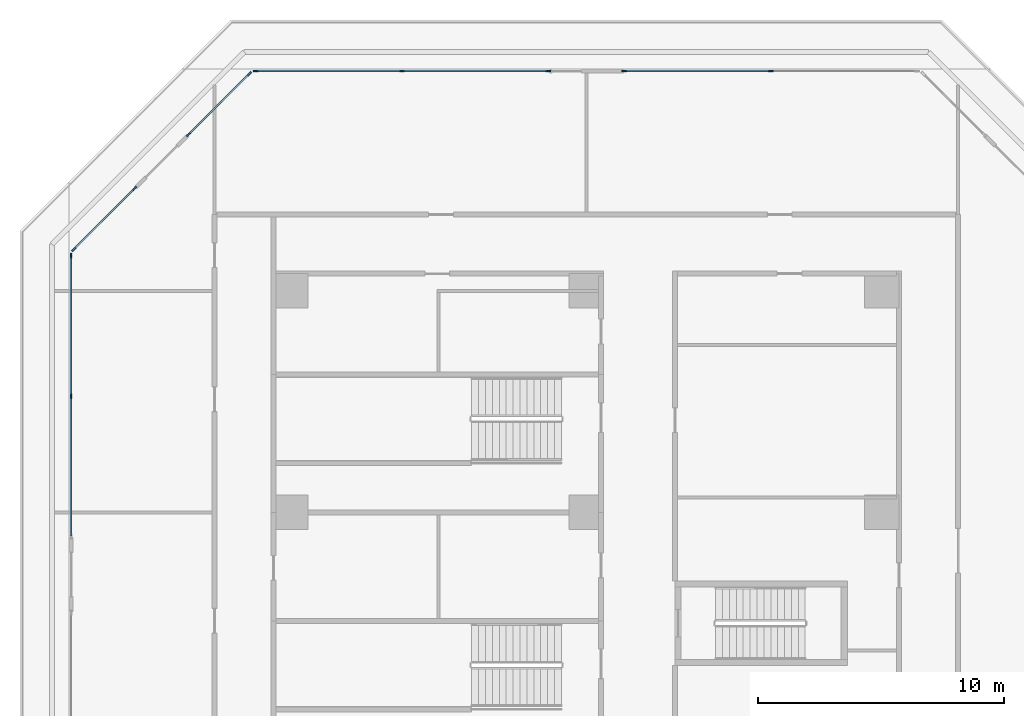
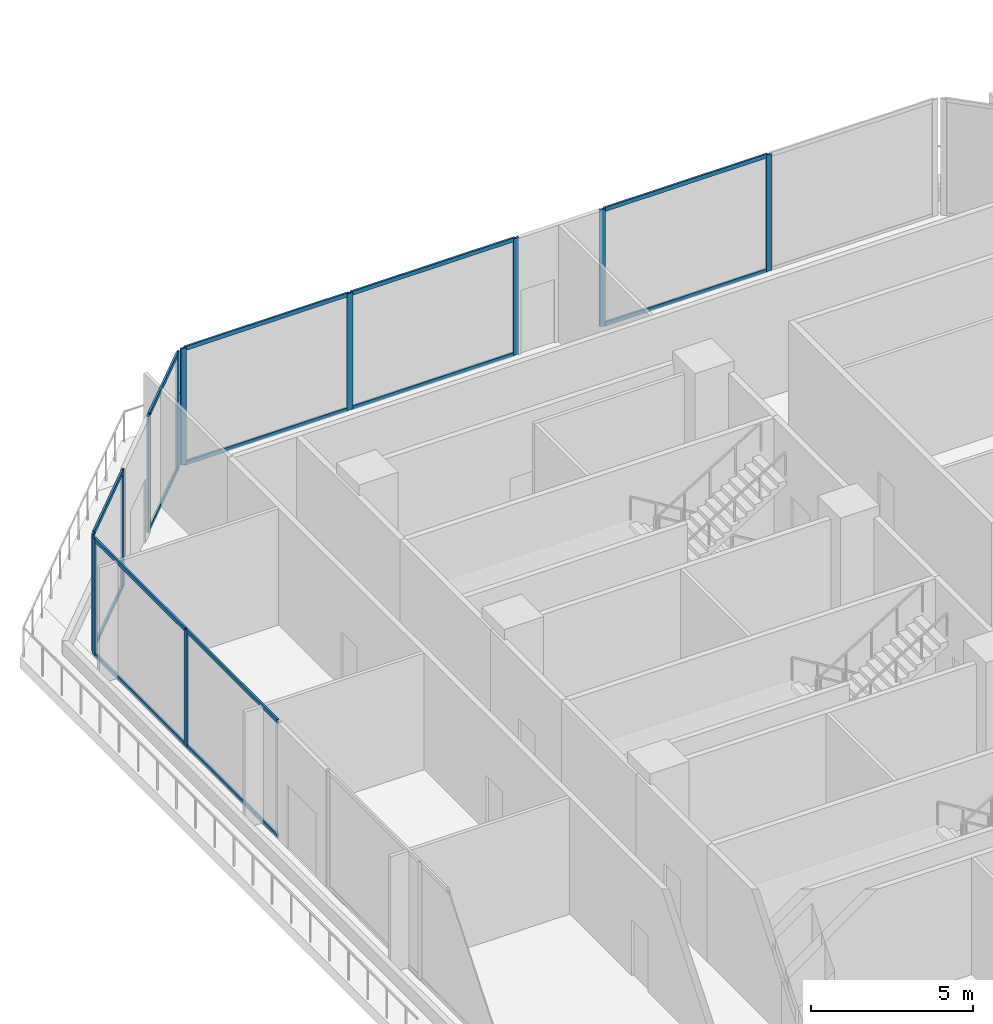
# One storey, part 8 of 26: 25 members, 5 elements without a shape of their own.
"""IFC4 building model written with IfcOpenShell, lengths in metres."""

import ifcopenshell
import ifcopenshell.guid

model = None  # the IFC model being written
_history = None  # IfcOwnerHistory: only IFC2X3 demands one
_inside = {}  # id of a spatial element -> (the spatial element, [elements in it])
_under = {}  # id of a project, library or spatial element -> (it, [spatial elements below it])
_declared = {}  # id of a project -> (the project, [libraries it declares])
_typed = {}  # id of a type object -> (the type object, [elements of that type])
_made_of = {}  # id of a material, layer set ... -> (it, [elements and type objects made of it])


def new_model(schema):
    """Start an empty IFC model of exactly this schema.

    Asked for "IFC4X3", IfcOpenShell would pick the latest addendum, in which some entities
    have other attributes; the version numbers below select the first issue.
    IFC2X3 requires an IfcOwnerHistory on every rooted entity: one is made here for all.
    """
    global model, _history
    if schema == "IFC4X3":
        model = ifcopenshell.file(schema_version=(4, 3, 0, 0))
    else:
        model = ifcopenshell.file(schema=schema)
    _inside.clear()
    _under.clear()
    _declared.clear()
    _typed.clear()
    _made_of.clear()
    _history = None
    if model.schema == "IFC2X3":
        org = make("IfcOrganization", Name="unknown")
        user = make(
            "IfcPersonAndOrganization",
            ThePerson=make("IfcPerson", FamilyName="unknown"),
            TheOrganization=org,
        )
        app = make(
            "IfcApplication",
            ApplicationDeveloper=org,
            Version="unknown",
            ApplicationFullName="unknown",
            ApplicationIdentifier="unknown",
        )
        _history = make(
            "IfcOwnerHistory",
            OwningUser=user,
            OwningApplication=app,
            ChangeAction="ADDED",
            CreationDate=0,
        )
    return model


def make(cls, **values):
    """One entity of the class cls with the attributes given. An attribute that is None is left unset."""
    return model.create_entity(
        cls, **{name: value for name, value in values.items() if value is not None}
    )


def rooted(cls, **values):
    """An entity with a GlobalId (a new one), such as an element, a storey or a relation."""
    return make(cls, GlobalId=ifcopenshell.guid.new(), OwnerHistory=_history, **values)


def si_unit(unit_type, name, prefix=None):
    """IfcSIUnit, for example si_unit("LENGTHUNIT", "METRE", prefix="MILLI")."""
    return make("IfcSIUnit", UnitType=unit_type, Prefix=prefix, Name=name)


def assignment(units):
    """IfcUnitAssignment: the units of a project."""
    return None if units is None else make("IfcUnitAssignment", Units=units)


def point(xyz):
    """IfcCartesianPoint."""
    return None if xyz is None else make("IfcCartesianPoint", Coordinates=xyz)


def direction(xyz):
    """IfcDirection."""
    return None if xyz is None else make("IfcDirection", DirectionRatios=xyz)


def frame(location, z_axis=None, x_axis=None):
    """IfcAxis2Placement3D, a coordinate frame: its origin and axes. An axis left out is left unset."""
    return make(
        "IfcAxis2Placement3D",
        Location=point(location),
        Axis=direction(z_axis),
        RefDirection=direction(x_axis),
    )


def frame_2d(location, x_axis=None):
    """IfcAxis2Placement2D, a coordinate frame in the plane: its origin and x axis."""
    return make(
        "IfcAxis2Placement2D", Location=point(location), RefDirection=direction(x_axis)
    )


def origin():
    """The frame at (0, 0, 0) with its axes left unset."""
    return frame((0.0, 0.0, 0.0))


def origin_2d():
    """The frame at (0, 0) in the plane with its x axis left unset."""
    return frame_2d((0.0, 0.0))


def place(relative_to, where):
    """IfcLocalPlacement: puts the frame where relative to a parent placement (None: the world)."""
    return make(
        "IfcLocalPlacement", PlacementRelTo=relative_to, RelativePlacement=where
    )


def context(
    kind, dimensions, precision=None, world=None, true_north=None, identifier=None
):
    """IfcGeometricRepresentationContext, for example the 3D "Model" context."""
    return make(
        "IfcGeometricRepresentationContext",
        ContextIdentifier=identifier,
        ContextType=kind,
        CoordinateSpaceDimension=dimensions,
        Precision=precision,
        WorldCoordinateSystem=world,
        TrueNorth=true_north,
    )


def subcontext(parent, identifier, kind, view, scale=None):
    """IfcGeometricRepresentationSubContext, for example "Body" below "Model"."""
    return make(
        "IfcGeometricRepresentationSubContext",
        ContextIdentifier=identifier,
        ContextType=kind,
        ParentContext=parent,
        TargetScale=scale,
        TargetView=view,
    )


def project(units=None, contexts=None):
    """IfcProject with its units and contexts."""
    return rooted(
        "IfcProject",
        Name="project",
        RepresentationContexts=contexts,
        UnitsInContext=assignment(units),
    )


def spatial(cls, under=None, at=None, **own):
    """A site, building, storey or space (cls), placed at a placement, below another one or the project."""
    s = rooted(cls, ObjectPlacement=at, **own)
    if under is not None:
        _under.setdefault(under.id(), (under, []))[1].append(s)
    return s


def profile(cls, at=None, kind="AREA", **sizes):
    """A parametric profile (cls). Its sizes go by their IFC names, for example OverallWidth=200.0."""
    return make(cls, ProfileType=kind, Position=at, **sizes)


def rectangle(**sizes):
    """IfcRectangleProfileDef."""
    return profile("IfcRectangleProfileDef", **sizes)


def extrude(swept, where, along, depth):
    """IfcExtrudedAreaSolid: the profile swept, set in the frame where, extruded along a direction by depth."""
    return make(
        "IfcExtrudedAreaSolid",
        SweptArea=swept,
        Position=where,
        ExtrudedDirection=direction(along),
        Depth=depth,
    )


def shape(context_of_items, identifier, shape_type, items):
    """IfcShapeRepresentation: the items that make up one representation, for example the "Body"."""
    return make(
        "IfcShapeRepresentation",
        ContextOfItems=context_of_items,
        RepresentationIdentifier=identifier,
        RepresentationType=shape_type,
        Items=items,
    )


def material(Name=None, Category=None):
    """IfcMaterial."""
    return make("IfcMaterial", Name=Name, Category=Category)


def layer(
    of_material, thickness, ventilated=None, Name=None, Category=None, Priority=None
):
    """IfcMaterialLayer: one layer of a wall or slab, of a material (None: an air gap)."""
    return make(
        "IfcMaterialLayer",
        Material=of_material,
        LayerThickness=thickness,
        IsVentilated=ventilated,
        Name=Name,
        Category=Category,
        Priority=Priority,
    )


def layer_set(layers, Name=None):
    """IfcMaterialLayerSet."""
    return make("IfcMaterialLayerSet", MaterialLayers=layers, LayerSetName=Name)


def material_profile(
    of_material, cross_section, Name=None, Category=None, Priority=None
):
    """IfcMaterialProfile: a cross section and its material."""
    return make(
        "IfcMaterialProfile",
        Name=Name,
        Material=of_material,
        Profile=cross_section,
        Priority=Priority,
        Category=Category,
    )


def profile_set(profiles, Name=None, composite=None):
    """IfcMaterialProfileSet."""
    return make(
        "IfcMaterialProfileSet",
        Name=Name,
        MaterialProfiles=profiles,
        CompositeProfile=composite,
    )


def made_of(thing, what):
    """Note that an element or type object is made of a material, layer set ...; save() writes the relation."""
    if what is not None:
        _made_of.setdefault(what.id(), (what, []))[1].append(thing)
    return thing


def type_object(cls, material=None, **own):
    """A type object (cls), such as IfcWallType, which elements share."""
    return made_of(rooted(cls, **own), material)


def element(
    cls,
    number,
    at=None,
    inside=None,
    cuts=None,
    type_object=None,
    material=None,
    context=None,
    identifier="Body",
    shape_type=None,
    held_by="IfcProductDefinitionShape",
    body=None,
    shapes=None,
    **own,
):
    """One element of the class cls, such as IfcWall. Its Tag is "e" and its number.

    at: its placement. inside: the storey or other place that contains it. cuts: it is an
    opening in that element (IfcRelVoidsElement). A single representation is given by context,
    identifier, shape_type and body (its items); several are given by shapes. held_by: the class
    of the entity that holds the representations. save() writes the other relations.
    """
    e = rooted(cls, Tag="e%d" % number, ObjectPlacement=at, **own)
    if body is not None:
        shapes = [shape(context, identifier, shape_type, body)]
    if shapes is not None:
        e.Representation = make(held_by, Representations=shapes)
    if inside is not None:
        _inside.setdefault(inside.id(), (inside, []))[1].append(e)
    if cuts is not None:
        rooted(
            "IfcRelVoidsElement", RelatingBuildingElement=cuts, RelatedOpeningElement=e
        )
    if type_object is not None:
        _typed.setdefault(type_object.id(), (type_object, []))[1].append(e)
    return made_of(e, material)


def aggregate(whole, parts):
    """IfcRelAggregates: a whole, such as a stair, and the parts it consists of."""
    return rooted("IfcRelAggregates", RelatingObject=whole, RelatedObjects=parts)


def save(model, path):
    """Write the relations noted so far, then the file.

    IfcRelAggregates (storeys below a building ...), IfcRelContainedInSpatialStructure (elements
    in a storey), IfcRelDefinesByType, IfcRelAssociatesMaterial and IfcRelDeclares: one each for
    every whole, place, type object, material and project.
    """
    for whole, parts in _under.values():
        aggregate(whole, parts)
    for where, things in _inside.values():
        rooted(
            "IfcRelContainedInSpatialStructure",
            RelatedElements=things,
            RelatingStructure=where,
        )
    for kind, things in _typed.values():
        rooted("IfcRelDefinesByType", RelatedObjects=things, RelatingType=kind)
    for what, things in _made_of.values():
        rooted("IfcRelAssociatesMaterial", RelatedObjects=things, RelatingMaterial=what)
    for by, libraries in _declared.values():
        rooted("IfcRelDeclares", RelatingContext=by, RelatedDefinitions=libraries)
    model.write(path)


model = new_model("IFC4")

# Units and contexts
model_context = context("Model", 3, precision=1e-05, world=origin(), true_north=direction((0.0, 1.0)))
body_context = subcontext(model_context, "Body", "Model", "MODEL_VIEW")
ifc_project = project(units=[si_unit("LENGTHUNIT", "METRE"), si_unit("AREAUNIT", "SQUARE_METRE"), si_unit("VOLUMEUNIT", "CUBIC_METRE"), si_unit("PLANEANGLEUNIT", "RADIAN"), si_unit("MASSUNIT", "GRAM", prefix="KILO")], contexts=[model_context])

# Site, building, storey
site_placement = place(None, origin())
site = spatial("IfcSite", under=ifc_project, at=site_placement, CompositionType="ELEMENT")
building_placement = place(site_placement, origin())
building = spatial("IfcBuilding", under=site, at=building_placement, Name="Chenar Terraces", CompositionType="ELEMENT")
storey_placement = place(building_placement, frame((0.0, 0.0, 16.800048828125)))
storey = spatial("IfcBuildingStorey", under=building, at=storey_placement, Name="L03", CompositionType="ELEMENT", Elevation=16.800048828125)

# Curtain wall, members
ifc_material_1 = material(Name="Aluminium framed glazing", Category="aluminium")
ifc_layer = layer(ifc_material_1, 0.14990234375)
ifc_layer_set = layer_set([ifc_layer], Name="Aluminium framed glazing")
curtain_wall_type = type_object("IfcCurtainWallType", Name="School curtain wall", PredefinedType="NOTDEFINED", material=ifc_layer_set)
placement = place(storey_placement, origin())
curtain_wall_1 = element("IfcCurtainWall", 1, at=placement, inside=storey, type_object=curtain_wall_type, Name="School curtain wall", PredefinedType="NOTDEFINED")
ifc_material_2 = material(Name="Aluminium", Category="aluminium")
ifc_material_profile_1 = material_profile(ifc_material_2, rectangle(XDim=0.070068359375, YDim=0.199951171875, at=origin_2d()), Name="School glazing mullion 70 x 200")
ifc_profile_set_1 = profile_set([ifc_material_profile_1], Name="Aluminium")
member_type_1 = type_object("IfcMemberType", Name="School glazing mullion 70 x 200", PredefinedType="MULLION", material=ifc_profile_set_1)
member_1_placement = place(storey_placement, frame((19.484619140625, 71.925048828125, 0.0), z_axis=(0.0, 0.0, 1.0), x_axis=(0.0, -1.0, 0.0)))
member_1 = element("IfcMember", 2, at=member_1_placement, type_object=member_type_1, Name="CW2-03c0 mullion 2", PredefinedType="MULLION", context=body_context, shape_type="SweptSolid", body=[
    extrude(rectangle(XDim=0.070068359375, YDim=0.199951171875, at=origin_2d()), origin(), (0.0, 0.0, 1.0), 4.39990234375),
])
member_2_placement = place(storey_placement, frame((13.547607421875, 71.925048828125, 0.0), z_axis=(0.0, 0.0, 1.0), x_axis=(0.0, -1.0, 0.0)))
member_2 = element("IfcMember", 3, at=member_2_placement, type_object=member_type_1, Name="CW2-03c0 mullion 3", PredefinedType="MULLION", context=body_context, shape_type="SweptSolid", body=[
    extrude(rectangle(XDim=0.070068359375, YDim=0.199951171875, at=origin_2d()), origin(), (0.0, 0.0, 1.0), 4.39990234375),
])

curtain_wall_2 = element("IfcCurtainWall", 4, at=placement, inside=storey, type_object=curtain_wall_type, Name="School curtain wall", PredefinedType="NOTDEFINED")
member_3_placement = place(storey_placement, frame((10.452392578125, 71.925048828125, 0.0), z_axis=(0.0, 0.0, 1.0), x_axis=(0.0, -1.0, 0.0)))
member_3 = element("IfcMember", 5, at=member_3_placement, type_object=member_type_1, Name="CW2-03c1 mullion 1", PredefinedType="MULLION", context=body_context, shape_type="SweptSolid", body=[
    extrude(rectangle(XDim=0.070068359375, YDim=0.199951171875, at=origin_2d()), origin(), (0.0, 0.0, 1.0), 4.39990234375),
])
member_4_placement = place(storey_placement, frame((4.515380859375, 71.925048828125, 0.0), z_axis=(0.0, 0.0, 1.0), x_axis=(0.0, -1.0, 0.0)))
member_4 = element("IfcMember", 6, at=member_4_placement, type_object=member_type_1, Name="CW2-03c1 mullion 2", PredefinedType="MULLION", context=body_context, shape_type="SweptSolid", body=[
    extrude(rectangle(XDim=0.070068359375, YDim=0.199951171875, at=origin_2d()), origin(), (0.0, 0.0, 1.0), 4.39990234375),
])
member_5_placement = place(storey_placement, frame((-1.421630859375, 71.925048828125, 0.0), z_axis=(0.0, 0.0, 1.0), x_axis=(0.0, -1.0, 0.0)))
member_5 = element("IfcMember", 7, at=member_5_placement, type_object=member_type_1, Name="CW2-03c1 mullion 3", PredefinedType="MULLION", context=body_context, shape_type="SweptSolid", body=[
    extrude(rectangle(XDim=0.070068359375, YDim=0.199951171875, at=origin_2d()), origin(), (0.0, 0.0, 1.0), 4.39990234375),
])

curtain_wall_3 = element("IfcCurtainWall", 8, at=placement, inside=storey, type_object=curtain_wall_type, Name="School curtain wall", PredefinedType="NOTDEFINED")
member_6_placement = place(storey_placement, frame((-1.684326171875, 71.816162109375, 0.0), z_axis=(0.0, 0.0, 1.0), x_axis=(0.707106781187, -0.707106781187, 0.0)))
member_6 = element("IfcMember", 9, at=member_6_placement, type_object=member_type_1, Name="CW2-04c0 mullion 1", PredefinedType="MULLION", context=body_context, shape_type="SweptSolid", body=[
    extrude(rectangle(XDim=0.070068359375, YDim=0.199951171875, at=origin_2d()), origin(), (0.0, 0.0, 1.0), 4.39990234375),
])
member_7_placement = place(storey_placement, frame((-4.156005859375, 69.344482421875, 0.0), z_axis=(0.0, 0.0, 1.0), x_axis=(0.707106781187, -0.707106781187, 0.0)))
member_7 = element("IfcMember", 10, at=member_7_placement, type_object=member_type_1, Name="CW2-04c0 mullion 2", PredefinedType="MULLION", context=body_context, shape_type="SweptSolid", body=[
    extrude(rectangle(XDim=0.070068359375, YDim=0.199951171875, at=origin_2d()), origin(), (0.0, 0.0, 1.0), 4.39990234375),
])

curtain_wall_4 = element("IfcCurtainWall", 11, at=placement, inside=storey, type_object=curtain_wall_type, Name="School curtain wall", PredefinedType="NOTDEFINED")
member_8_placement = place(storey_placement, frame((-6.344482421875, 67.156005859375, 0.0), z_axis=(0.0, 0.0, 1.0), x_axis=(0.707106781187, -0.707106781187, 0.0)))
member_8 = element("IfcMember", 12, at=member_8_placement, type_object=member_type_1, Name="CW2-04c1 mullion 1", PredefinedType="MULLION", context=body_context, shape_type="SweptSolid", body=[
    extrude(rectangle(XDim=0.070068359375, YDim=0.199951171875, at=origin_2d()), origin(), (0.0, 0.0, 1.0), 4.39990234375),
])
member_9_placement = place(storey_placement, frame((-8.816162109375, 64.684326171875, 0.0), z_axis=(0.0, 0.0, 1.0), x_axis=(0.707106781187, -0.707106781187, 0.0)))
member_9 = element("IfcMember", 13, at=member_9_placement, type_object=member_type_1, Name="CW2-04c1 mullion 2", PredefinedType="MULLION", context=body_context, shape_type="SweptSolid", body=[
    extrude(rectangle(XDim=0.070068359375, YDim=0.199951171875, at=origin_2d()), origin(), (0.0, 0.0, 1.0), 4.39990234375),
])

curtain_wall_5 = element("IfcCurtainWall", 14, at=placement, inside=storey, type_object=curtain_wall_type, Name="School curtain wall", PredefinedType="NOTDEFINED")
member_10_placement = place(storey_placement, frame((-8.925048828125, 64.421630859375, 0.0), z_axis=(0.0, 0.0, 1.0), x_axis=(1.0, 0.0, 0.0)))
member_10 = element("IfcMember", 15, at=member_10_placement, type_object=member_type_1, Name="CW2-05c0 mullion 1", PredefinedType="MULLION", context=body_context, shape_type="SweptSolid", body=[
    extrude(rectangle(XDim=0.070068359375, YDim=0.199951171875, at=origin_2d()), origin(), (0.0, 0.0, 1.0), 4.39990234375),
])
member_11_placement = place(storey_placement, frame((-8.925048828125, 58.7236328125, 0.0), z_axis=(0.0, 0.0, 1.0), x_axis=(1.0, 0.0, 0.0)))
member_11 = element("IfcMember", 16, at=member_11_placement, type_object=member_type_1, Name="CW2-05c0 mullion 2", PredefinedType="MULLION", context=body_context, shape_type="SweptSolid", body=[
    extrude(rectangle(XDim=0.070068359375, YDim=0.199951171875, at=origin_2d()), origin(), (0.0, 0.0, 1.0), 4.39990234375),
])

# Member
ifc_material_3 = material(Name="Aluminium", Category="aluminium")
ifc_material_profile_2 = material_profile(ifc_material_3, rectangle(XDim=0.070068359375, YDim=0.14990234375, at=origin_2d()), Name="School glazing transom 70 x 150")
ifc_profile_set_2 = profile_set([ifc_material_profile_2], Name="Aluminium")
member_type_2 = type_object("IfcMemberType", Name="School glazing transom 70 x 150", PredefinedType="USERDEFINED", material=ifc_profile_set_2)
member_12_placement = place(storey_placement, frame((19.449462890625, 71.925048828125, 0.034912109375), z_axis=(-1.0, 0.0, 0.0), x_axis=(0.0, -1.0, 0.0)))
member_12 = element("IfcMember", 17, at=member_12_placement, type_object=member_type_2, Name="CW2-03c0 transom 2.1", ObjectType="TRANSOM", PredefinedType="USERDEFINED", context=body_context, shape_type="SweptSolid", body=[
    extrude(rectangle(XDim=0.070068359375, YDim=0.14990234375, at=origin_2d()), origin(), (0.0, 0.0, 1.0), 5.866943359375),
])

member_13_placement = place(storey_placement, frame((19.449462890625, 71.925048828125, 4.364990234375), z_axis=(-1.0, 0.0, 0.0), x_axis=(0.0, -1.0, 0.0)))
member_13 = element("IfcMember", 18, at=member_13_placement, type_object=member_type_2, Name="CW2-03c0 transom 2.2", ObjectType="TRANSOM", PredefinedType="USERDEFINED", context=body_context, shape_type="SweptSolid", body=[
    extrude(rectangle(XDim=0.070068359375, YDim=0.14990234375, at=origin_2d()), origin(), (0.0, 0.0, 1.0), 5.866943359375),
])

aggregate(curtain_wall_1, [member_1, member_2, member_12, member_13])

member_14_placement = place(storey_placement, frame((10.41748046875, 71.925048828125, 0.034912109375), z_axis=(-1.0, 0.0, 0.0), x_axis=(0.0, -1.0, 0.0)))
member_14 = element("IfcMember", 19, at=member_14_placement, type_object=member_type_2, Name="CW2-03c1 transom 1.1", ObjectType="TRANSOM", PredefinedType="USERDEFINED", context=body_context, shape_type="SweptSolid", body=[
    extrude(rectangle(XDim=0.070068359375, YDim=0.14990234375, at=origin_2d()), origin(), (0.0, 0.0, 1.0), 5.866943359375),
])

member_15_placement = place(storey_placement, frame((10.41748046875, 71.925048828125, 4.364990234375), z_axis=(-1.0, 0.0, 0.0), x_axis=(0.0, -1.0, 0.0)))
member_15 = element("IfcMember", 20, at=member_15_placement, type_object=member_type_2, Name="CW2-03c1 transom 1.2", ObjectType="TRANSOM", PredefinedType="USERDEFINED", context=body_context, shape_type="SweptSolid", body=[
    extrude(rectangle(XDim=0.070068359375, YDim=0.14990234375, at=origin_2d()), origin(), (0.0, 0.0, 1.0), 5.866943359375),
])

member_16_placement = place(storey_placement, frame((4.48046875, 71.925048828125, 0.034912109375), z_axis=(-1.0, 0.0, 0.0), x_axis=(0.0, -1.0, 0.0)))
member_16 = element("IfcMember", 21, at=member_16_placement, type_object=member_type_2, Name="CW2-03c1 transom 2.1", ObjectType="TRANSOM", PredefinedType="USERDEFINED", context=body_context, shape_type="SweptSolid", body=[
    extrude(rectangle(XDim=0.070068359375, YDim=0.14990234375, at=origin_2d()), origin(), (0.0, 0.0, 1.0), 5.8671875),
])

member_17_placement = place(storey_placement, frame((4.48046875, 71.925048828125, 4.364990234375), z_axis=(-1.0, 0.0, 0.0), x_axis=(0.0, -1.0, 0.0)))
member_17 = element("IfcMember", 22, at=member_17_placement, type_object=member_type_2, Name="CW2-03c1 transom 2.2", ObjectType="TRANSOM", PredefinedType="USERDEFINED", context=body_context, shape_type="SweptSolid", body=[
    extrude(rectangle(XDim=0.070068359375, YDim=0.14990234375, at=origin_2d()), origin(), (0.0, 0.0, 1.0), 5.8671875),
])

aggregate(curtain_wall_2, [member_3, member_4, member_5, member_14, member_15, member_16, member_17])

member_18_placement = place(storey_placement, frame((-1.709228515625, 71.79150390625, 0.034912109375), z_axis=(-0.707106781187, -0.707106781187, 0.0), x_axis=(0.707106781187, -0.707106781187, 0.0)))
member_18 = element("IfcMember", 23, at=member_18_placement, type_object=member_type_2, Name="CW2-04c0 transom 1.1", ObjectType="TRANSOM", PredefinedType="USERDEFINED", context=body_context, shape_type="SweptSolid", body=[
    extrude(rectangle(XDim=0.070068359375, YDim=0.14990234375, at=origin_2d()), origin(), (0.0, 0.0, 1.0), 3.42529296875),
])

member_19_placement = place(storey_placement, frame((-1.709228515625, 71.79150390625, 4.364990234375), z_axis=(-0.707106781187, -0.707106781187, 0.0), x_axis=(0.707106781187, -0.707106781187, 0.0)))
member_19 = element("IfcMember", 24, at=member_19_placement, type_object=member_type_2, Name="CW2-04c0 transom 1.2", ObjectType="TRANSOM", PredefinedType="USERDEFINED", context=body_context, shape_type="SweptSolid", body=[
    extrude(rectangle(XDim=0.070068359375, YDim=0.14990234375, at=origin_2d()), origin(), (0.0, 0.0, 1.0), 3.42529296875),
])

aggregate(curtain_wall_3, [member_6, member_7, member_18, member_19])

member_20_placement = place(storey_placement, frame((-6.369384765625, 67.13134765625, 0.034912109375), z_axis=(-0.707106781187, -0.707106781187, 0.0), x_axis=(0.707106781187, -0.707106781187, 0.0)))
member_20 = element("IfcMember", 25, at=member_20_placement, type_object=member_type_2, Name="CW2-04c1 transom 1.1", ObjectType="TRANSOM", PredefinedType="USERDEFINED", context=body_context, shape_type="SweptSolid", body=[
    extrude(rectangle(XDim=0.070068359375, YDim=0.14990234375, at=origin_2d()), origin(), (0.0, 0.0, 1.0), 3.42529296875),
])

member_21_placement = place(storey_placement, frame((-6.369384765625, 67.13134765625, 4.364990234375), z_axis=(-0.707106781187, -0.707106781187, 0.0), x_axis=(0.707106781187, -0.707106781187, 0.0)))
member_21 = element("IfcMember", 26, at=member_21_placement, type_object=member_type_2, Name="CW2-04c1 transom 1.2", ObjectType="TRANSOM", PredefinedType="USERDEFINED", context=body_context, shape_type="SweptSolid", body=[
    extrude(rectangle(XDim=0.070068359375, YDim=0.14990234375, at=origin_2d()), origin(), (0.0, 0.0, 1.0), 3.42529296875),
])

aggregate(curtain_wall_4, [member_8, member_9, member_20, member_21])

member_22_placement = place(storey_placement, frame((-8.925048828125, 64.38671875, 0.034912109375), z_axis=(0.0, -1.0, 0.0), x_axis=(1.0, 0.0, 0.0)))
member_22 = element("IfcMember", 27, at=member_22_placement, type_object=member_type_2, Name="CW2-05c0 transom 1.1", ObjectType="TRANSOM", PredefinedType="USERDEFINED", context=body_context, shape_type="SweptSolid", body=[
    extrude(rectangle(XDim=0.070068359375, YDim=0.14990234375, at=origin_2d()), origin(), (0.0, 0.0, 1.0), 5.6279296875),
])

member_23_placement = place(storey_placement, frame((-8.925048828125, 64.38671875, 4.364990234375), z_axis=(0.0, -1.0, 0.0), x_axis=(1.0, 0.0, 0.0)))
member_23 = element("IfcMember", 28, at=member_23_placement, type_object=member_type_2, Name="CW2-05c0 transom 1.2", ObjectType="TRANSOM", PredefinedType="USERDEFINED", context=body_context, shape_type="SweptSolid", body=[
    extrude(rectangle(XDim=0.070068359375, YDim=0.14990234375, at=origin_2d()), origin(), (0.0, 0.0, 1.0), 5.6279296875),
])

member_24_placement = place(storey_placement, frame((-8.925048828125, 58.688720703125, 0.034912109375), z_axis=(0.0, -1.0, 0.0), x_axis=(1.0, 0.0, 0.0)))
member_24 = element("IfcMember", 29, at=member_24_placement, type_object=member_type_2, Name="CW2-05c0 transom 2.1", ObjectType="TRANSOM", PredefinedType="USERDEFINED", context=body_context, shape_type="SweptSolid", body=[
    extrude(rectangle(XDim=0.070068359375, YDim=0.14990234375, at=origin_2d()), origin(), (0.0, 0.0, 1.0), 5.6279296875),
])

member_25_placement = place(storey_placement, frame((-8.925048828125, 58.688720703125, 4.364990234375), z_axis=(0.0, -1.0, 0.0), x_axis=(1.0, 0.0, 0.0)))
member_25 = element("IfcMember", 30, at=member_25_placement, type_object=member_type_2, Name="CW2-05c0 transom 2.2", ObjectType="TRANSOM", PredefinedType="USERDEFINED", context=body_context, shape_type="SweptSolid", body=[
    extrude(rectangle(XDim=0.070068359375, YDim=0.14990234375, at=origin_2d()), origin(), (0.0, 0.0, 1.0), 5.6279296875),
])

aggregate(curtain_wall_5, [member_10, member_11, member_22, member_23, member_24, member_25])

save(model, "model.ifc")
